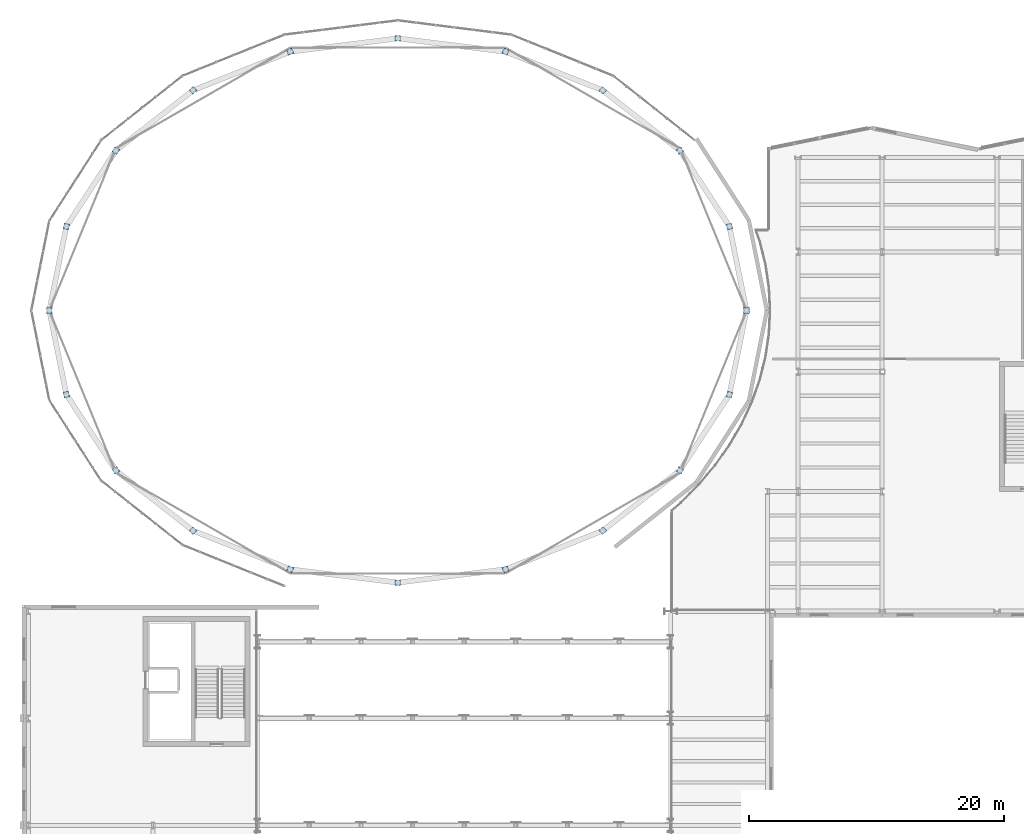
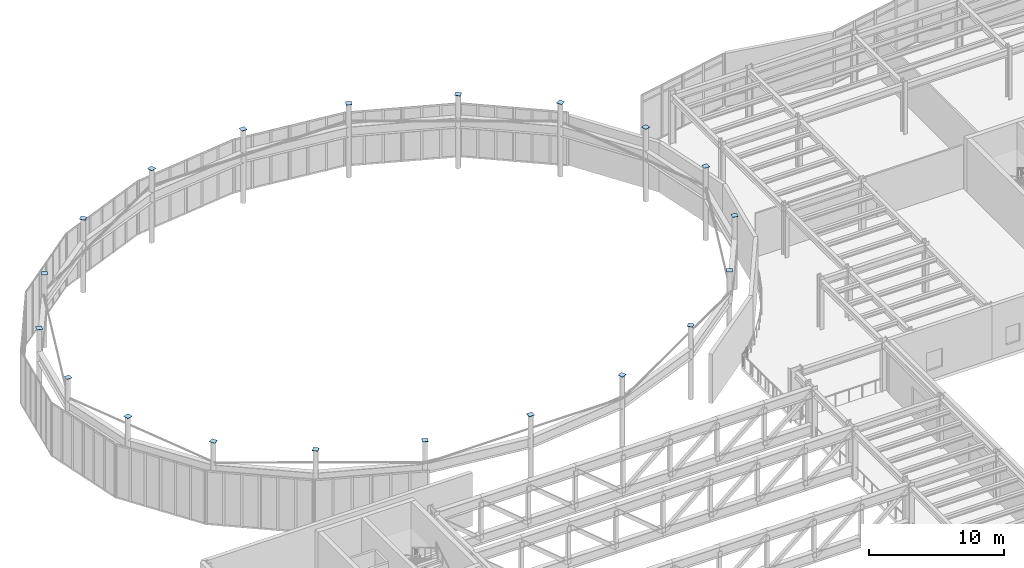
# One storey, part 63 of 91: 20 plates.
"""IFC4 building model written with IfcOpenShell, lengths in metres."""

from ifc_helpers import new_model, si_unit, direction, frame, origin, origin_2d, place, context, subcontext, project, spatial, rectangle, extrude, material, layer, layer_set, type_object, element, save


model = new_model("IFC4")

# Units and contexts
model_context = context("Model", 3, precision=1e-05, world=origin(), true_north=direction((0.0, 1.0)))
body_context = subcontext(model_context, "Body", "Model", "MODEL_VIEW")
ifc_project = project(units=[si_unit("LENGTHUNIT", "METRE"), si_unit("AREAUNIT", "SQUARE_METRE"), si_unit("VOLUMEUNIT", "CUBIC_METRE"), si_unit("PLANEANGLEUNIT", "RADIAN"), si_unit("MASSUNIT", "GRAM", prefix="KILO")], contexts=[model_context])

# Site, building, storey
site_placement = place(None, origin())
site = spatial("IfcSite", under=ifc_project, at=site_placement, CompositionType="ELEMENT")
building_placement = place(site_placement, origin())
building = spatial("IfcBuilding", under=site, at=building_placement, Name="Sollismere Congress Hotel", CompositionType="ELEMENT")
storey_placement = place(building_placement, frame((0.0, 0.0, 10.800048828125)))
storey = spatial("IfcBuildingStorey", under=building, at=storey_placement, Name="L02", CompositionType="ELEMENT", Elevation=10.800048828125)

# Plates
ifc_material = material(Name="Steel ASTM A572 Grade 50", Category="steel")
ifc_layer = layer(ifc_material, 0.02490234375, Name="Steel ASTM A572 Grade 50")
ifc_layer_set = layer_set([ifc_layer], Name="Steel ASTM A572 Grade 50")
plate_type = type_object("IfcPlateType", Name="PL-GS25", PredefinedType="USERDEFINED", material=ifc_layer_set)
for number, where, z_axis, x_axis, name in (
    (1, (56.35009765625, 90.39990234375, 6.6201171875), (0.0, 0.0, 1.0), (1.0, 0.0, 0.0), "Column end cap plate CP-003"),
    (2, (55.011474609375, 96.99755859375, 6.6201171875), (0.0, 0.0, 1.0), (0.969316774365, 0.245814952628, 0.0), "Column end cap plate CP-006"),
    (3, (51.126708984375, 102.94921875, 6.6201171875), (0.0, 0.0, 1.0), (0.869839554062, 0.493334724289, 0.0), "Column end cap plate CP-009"),
    (4, (45.075927734375, 107.672607421875, 6.6201171875), (0.0, 0.0, 1.0), (0.681359873953, 0.731948578909, 0.0), "Column end cap plate CP-012"),
    (5, (37.45166015625, 110.705078125, 6.6201171875), (0.0, 0.0, 1.0), (0.38429532266, 0.923210217113, 0.0), "Column end cap plate CP-015"),
    (6, (29.0, 111.75, 6.6201171875), (0.0, 0.0, 1.0), (0.0, 1.0, 0.0), "Column end cap plate CP-018"),
    (7, (20.54833984375, 110.705078125, 6.6201171875), (0.0, 0.0, 1.0), (-0.38429532266, 0.923210217113, 0.0), "Column end cap plate CP-021"),
    (8, (12.924072265625, 107.672607421875, 6.6201171875), (0.0, 0.0, 1.0), (-0.681359873953, 0.731948578909, 0.0), "Column end cap plate CP-024"),
    (9, (6.873291015625, 102.94921875, 6.6201171875), (0.0, 0.0, 1.0), (-0.869839554062, 0.493334724289, 0.0), "Column end cap plate CP-027"),
    (10, (2.988525390625, 96.99755859375, 6.6201171875), (0.0, 0.0, 1.0), (-0.969316774365, 0.245814952628, 0.0), "Column end cap plate CP-030"),
    (11, (1.64990234375, 90.39990234375, 6.6201171875), (0.0, 0.0, 1.0), (-1.0, 0.0, 0.0), "Column end cap plate CP-033"),
    (12, (2.988525390625, 83.802490234375, 6.6201171875), (0.0, 0.0, 1.0), (-0.969316774365, -0.245814952628, 0.0), "Column end cap plate CP-036"),
    (13, (6.873291015625, 77.850830078125, 6.6201171875), (0.0, 0.0, 1.0), (-0.869839554062, -0.493334724289, 0.0), "Column end cap plate CP-039"),
    (14, (12.924072265625, 73.12744140625, 6.6201171875), (0.0, 0.0, 1.0), (-0.681359873953, -0.731948578909, 0.0), "Column end cap plate CP-042"),
    (15, (20.54833984375, 70.094970703125, 6.6201171875), (0.0, 0.0, 1.0), (-0.38429532266, -0.923210217113, 0.0), "Column end cap plate CP-045"),
    (16, (29.0, 69.050048828125, 6.6201171875), (0.0, 0.0, 1.0), (0.0, -1.0, 0.0), "Column end cap plate CP-048"),
    (17, (37.45166015625, 70.094970703125, 6.6201171875), (0.0, 0.0, 1.0), (0.38429532266, -0.923210217113, 0.0), "Column end cap plate CP-051"),
    (18, (45.075927734375, 73.12744140625, 6.6201171875), (0.0, 0.0, 1.0), (0.681359873953, -0.731948578909, 0.0), "Column end cap plate CP-054"),
    (19, (51.126708984375, 77.850830078125, 6.6201171875), (0.0, 0.0, 1.0), (0.869839554062, -0.493334724289, 0.0), "Column end cap plate CP-057"),
    (20, (55.011474609375, 83.802490234375, 6.6201171875), (0.0, 0.0, 1.0), (0.969316774365, -0.245814952628, 0.0), "Column end cap plate CP-060"),
):
    element("IfcPlate", number, at=place(storey_placement, frame(where, z_axis=z_axis, x_axis=x_axis)), inside=storey, type_object=plate_type, Name=name, ObjectType="GUSSET PLATE", PredefinedType="USERDEFINED", context=body_context, shape_type="SweptSolid", body=[
        extrude(rectangle(XDim=0.446044921875, YDim=0.446044921875, at=origin_2d()), origin(), (0.0, 0.0, 1.0), 0.02490234375),
    ])

save(model, "model.ifc")
